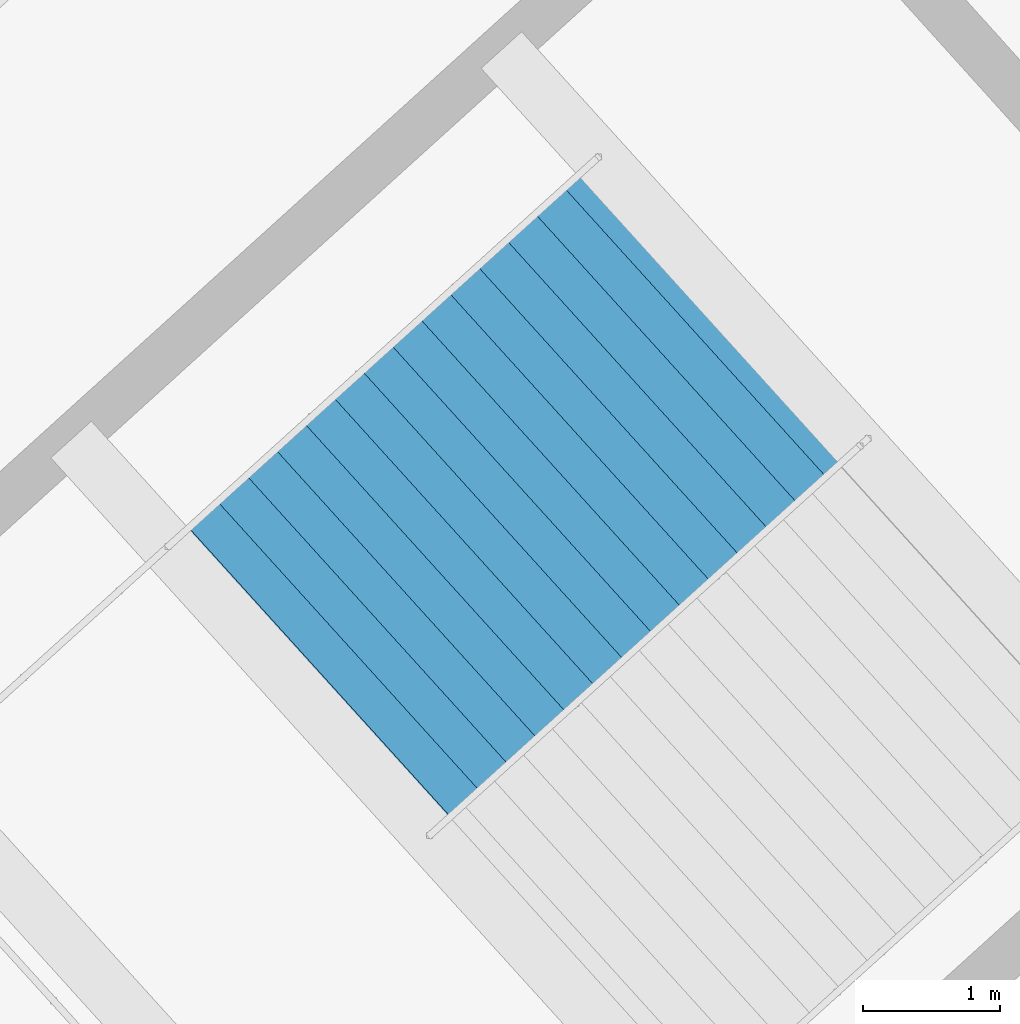
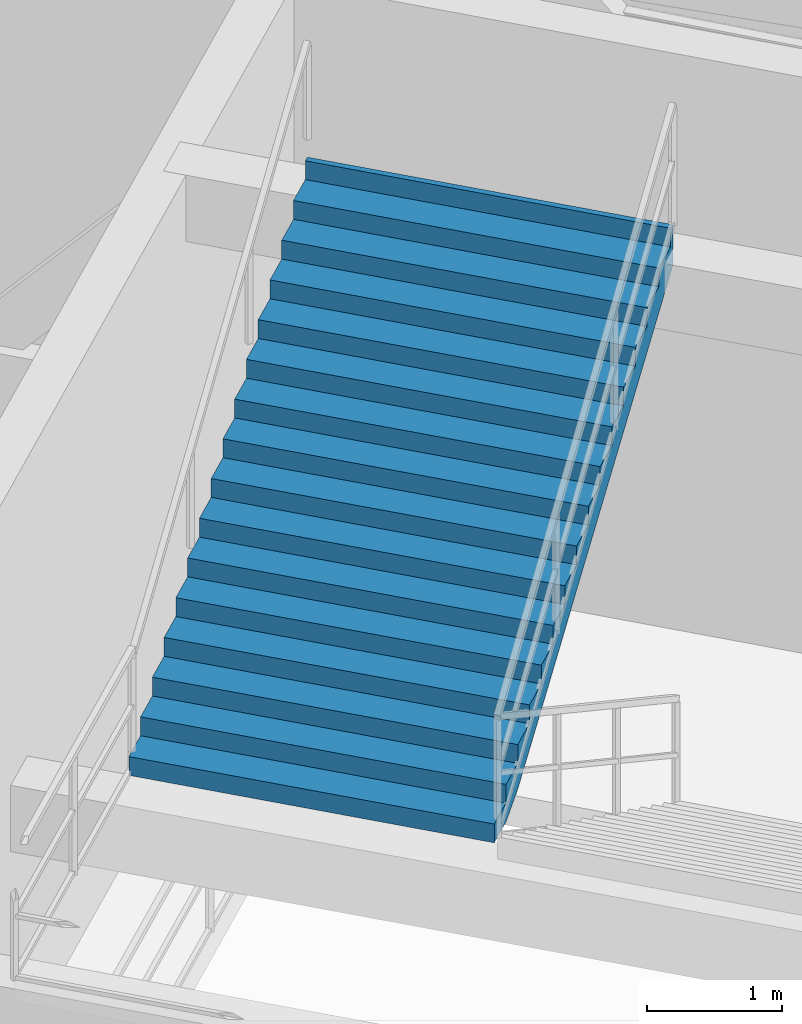
# One storey, part 156 of 162: 1 stair flight, 1 element without a shape of its own.
"""IFC4 building model written with IfcOpenShell, lengths in metres."""

from ifc_helpers import new_model, si_unit, direction, frame, origin, place, context, subcontext, project, spatial, polygons, material, type_object, element, aggregate, save


model = new_model("IFC4")

# Units and contexts
model_context = context("Model", 3, precision=1e-05, world=origin(), true_north=direction((0.0, 1.0)))
body_context = subcontext(model_context, "Body", "Model", "MODEL_VIEW")
ifc_project = project(units=[si_unit("LENGTHUNIT", "METRE"), si_unit("AREAUNIT", "SQUARE_METRE"), si_unit("VOLUMEUNIT", "CUBIC_METRE"), si_unit("PLANEANGLEUNIT", "RADIAN"), si_unit("MASSUNIT", "GRAM", prefix="KILO")], contexts=[model_context])

# Site, building, storey
site_placement = place(None, origin())
site = spatial("IfcSite", under=ifc_project, at=site_placement, CompositionType="ELEMENT")
building_placement = place(site_placement, origin())
building = spatial("IfcBuilding", under=site, at=building_placement, Name="Kazemori Nagisa Stadium", CompositionType="ELEMENT")
storey_placement = place(building_placement, frame((0.0, 0.0, 36.719970703125)))
storey = spatial("IfcBuildingStorey", under=building, at=storey_placement, Name="RF", CompositionType="ELEMENT", Elevation=36.719970703125)

# Stair, stair flight
ifc_material = material(Name="Concrete C36/45 (Fc36)", Category="concrete")
stair_type = type_object("IfcStairType", Name="Stair_CORE_32", PredefinedType="TWO_STRAIGHT_RUN_STAIR", material=ifc_material)
stair_placement = place(storey_placement, origin())
stair = element("IfcStair", 1, at=stair_placement, inside=storey, type_object=stair_type, Name="Exit stair ST02 RF", PredefinedType="TWO_STRAIGHT_RUN_STAIR")
stair_flight_type = type_object("IfcStairFlightType", Name="Flight_CORE_16", PredefinedType="STRAIGHT", material=ifc_material)
stair_flight_placement = place(storey_placement, frame((58.0458984375, 163.74609375, 2.719970703125), z_axis=(0.0, 0.0, 1.0), x_axis=(0.741328742395, 0.671142083093, 0.0)))
stair_flight = element("IfcStairFlight", 2, at=stair_flight_placement, type_object=stair_flight_type, Name="Exit stair ST02 RF flight 2", NumberOfRisers=16, NumberOfTreads=15, PredefinedType="STRAIGHT", RiserHeight=0.17, TreadLength=0.285, context=body_context, shape_type="Tessellation", body=[
    polygons([(0.0, -1.425048828125, 0.0), (0.0, -1.425048828125, 0.169921875), (0.284912109375, -1.425048828125, 0.169921875), (0.284912109375, -1.425048828125, 0.340087890625), (0.570068359375, -1.425048828125, 0.340087890625), (0.570068359375, -1.425048828125, 0.510009765625), (0.85498046875, -1.425048828125, 0.510009765625), (0.85498046875, -1.425048828125, 0.679931640625), (1.139892578125, -1.425048828125, 0.679931640625), (1.139892578125, -1.425048828125, 0.85009765625), (1.425048828125, -1.425048828125, 0.85009765625), (1.425048828125, -1.425048828125, 1.02001953125), (1.7099609375, -1.425048828125, 1.02001953125), (1.7099609375, -1.425048828125, 1.18994140625), (1.9951171875, -1.425048828125, 1.18994140625), (1.9951171875, -1.425048828125, 1.360107421875), (2.280029296875, -1.425048828125, 1.360107421875), (2.280029296875, -1.425048828125, 1.530029296875), (2.56494140625, -1.425048828125, 1.530029296875), (2.56494140625, -1.425048828125, 1.699951171875), (2.85009765625, -1.425048828125, 1.699951171875), (2.85009765625, -1.425048828125, 1.8701171875), (3.135009765625, -1.425048828125, 1.8701171875), (3.135009765625, -1.425048828125, 2.0400390625), (3.419921875, -1.425048828125, 2.0400390625), (3.419921875, -1.425048828125, 2.2099609375), (3.705078125, -1.425048828125, 2.2099609375), (3.705078125, -1.425048828125, 2.3798828125), (3.989990234375, -1.425048828125, 2.3798828125), (3.989990234375, -1.425048828125, 2.550048828125), (4.27490234375, -1.425048828125, 2.550048828125), (4.27490234375, -1.425048828125, 2.719970703125), (4.324951171875, -1.425048828125, 2.719970703125), (4.324951171875, -1.425048828125, 2.346923828125), (4.27490234375, -1.425048828125, 2.317138671875), (3.989990234375, -1.425048828125, 2.147216796875), (3.705078125, -1.425048828125, 1.977294921875), (3.419921875, -1.425048828125, 1.80712890625), (3.135009765625, -1.425048828125, 1.63720703125), (2.85009765625, -1.425048828125, 1.46728515625), (2.56494140625, -1.425048828125, 1.297119140625), (2.280029296875, -1.425048828125, 1.127197265625), (1.9951171875, -1.425048828125, 0.957275390625), (1.7099609375, -1.425048828125, 0.787109375), (1.425048828125, -1.425048828125, 0.6171875), (1.139892578125, -1.425048828125, 0.447265625), (0.85498046875, -1.425048828125, 0.277099609375), (0.570068359375, -1.425048828125, 0.107177734375), (0.284912109375, -1.425048828125, 0.0), (0.0, -0.08544921875, 0.0), (0.0, -0.08544921875, 0.169921875), (0.284912109375, -0.08544921875, 0.169921875), (0.284912109375, -0.08544921875, 0.340087890625), (0.570068359375, -0.08544921875, 0.340087890625), (0.570068359375, -0.08544921875, 0.510009765625), (0.85498046875, -0.08544921875, 0.510009765625), (0.85498046875, -0.08544921875, 0.679931640625), (1.139892578125, -0.08544921875, 0.679931640625), (1.139892578125, -0.08544921875, 0.85009765625), (1.425048828125, -0.08544921875, 0.85009765625), (1.425048828125, -0.08544921875, 1.02001953125), (1.7099609375, -0.08544921875, 1.02001953125), (1.7099609375, -0.08544921875, 1.18994140625), (1.9951171875, -0.08544921875, 1.18994140625), (1.9951171875, -0.08544921875, 1.360107421875), (2.280029296875, -0.08544921875, 1.360107421875), (2.280029296875, -0.08544921875, 1.530029296875), (2.56494140625, -0.08544921875, 1.530029296875), (2.56494140625, -0.08544921875, 1.699951171875), (2.85009765625, -0.08544921875, 1.699951171875), (2.85009765625, -0.08544921875, 1.8701171875), (3.135009765625, -0.08544921875, 1.8701171875), (3.135009765625, -0.08544921875, 2.0400390625), (3.419921875, -0.08544921875, 2.0400390625), (3.419921875, -0.08544921875, 2.2099609375), (3.705078125, -0.08544921875, 2.2099609375), (3.705078125, -0.08544921875, 2.3798828125), (3.989990234375, -0.08544921875, 2.3798828125), (3.989990234375, -0.08544921875, 2.550048828125), (4.27490234375, -0.08544921875, 2.550048828125), (4.27490234375, -0.08544921875, 2.719970703125), (4.324951171875, -0.08544921875, 2.719970703125), (4.324951171875, -0.08544921875, 2.346923828125), (4.27490234375, -0.08544921875, 2.317138671875), (3.989990234375, -0.08544921875, 2.147216796875), (3.705078125, -0.08544921875, 1.977294921875), (3.419921875, -0.08544921875, 1.80712890625), (3.135009765625, -0.08544921875, 1.63720703125), (2.85009765625, -0.08544921875, 1.46728515625), (2.56494140625, -0.08544921875, 1.297119140625), (2.280029296875, -0.08544921875, 1.127197265625), (1.9951171875, -0.08544921875, 0.957275390625), (1.7099609375, -0.08544921875, 0.787109375), (1.425048828125, -0.08544921875, 0.6171875), (1.139892578125, -0.08544921875, 0.447265625), (0.85498046875, -0.08544921875, 0.277099609375), (0.570068359375, -0.08544921875, 0.107177734375), (0.284912109375, -0.08544921875, 0.0), (0.0, 0.0, 0.0), (0.0, 0.0, 0.169921875), (0.284912109375, 0.0, 0.169921875), (0.284912109375, 0.0, 0.340087890625), (0.570068359375, 0.0, 0.340087890625), (0.570068359375, 0.0, 0.510009765625), (0.85498046875, 0.0, 0.510009765625), (0.85498046875, 0.0, 0.679931640625), (1.139892578125, 0.0, 0.679931640625), (1.139892578125, 0.0, 0.85009765625), (1.425048828125, 0.0, 0.85009765625), (1.425048828125, 0.0, 1.02001953125), (1.7099609375, 0.0, 1.02001953125), (1.7099609375, 0.0, 1.18994140625), (1.9951171875, 0.0, 1.18994140625), (1.9951171875, 0.0, 1.360107421875), (2.280029296875, 0.0, 1.360107421875), (2.280029296875, 0.0, 1.530029296875), (2.56494140625, 0.0, 1.530029296875), (2.56494140625, 0.0, 1.699951171875), (2.85009765625, 0.0, 1.699951171875), (2.85009765625, 0.0, 1.8701171875), (3.135009765625, 0.0, 1.8701171875), (3.135009765625, 0.0, 2.0400390625), (3.419921875, 0.0, 2.0400390625), (3.419921875, 0.0, 2.2099609375), (3.705078125, 0.0, 2.2099609375), (3.705078125, 0.0, 2.3798828125), (3.989990234375, 0.0, 2.3798828125), (3.989990234375, 0.0, 2.550048828125), (4.27490234375, 0.0, 2.550048828125), (4.27490234375, 0.0, 2.719970703125), (4.324951171875, 0.0, 2.719970703125), (4.324951171875, 0.0, 2.346923828125), (4.27490234375, 0.0, 2.317138671875), (3.989990234375, 0.0, 2.147216796875), (3.705078125, 0.0, 1.977294921875), (3.419921875, 0.0, 1.80712890625), (3.135009765625, 0.0, 1.63720703125), (2.85009765625, 0.0, 1.46728515625), (2.56494140625, 0.0, 1.297119140625), (2.280029296875, 0.0, 1.127197265625), (1.9951171875, 0.0, 0.957275390625), (1.7099609375, 0.0, 0.787109375), (1.425048828125, 0.0, 0.6171875), (1.139892578125, 0.0, 0.447265625), (0.85498046875, 0.0, 0.277099609375), (0.570068359375, 0.0, 0.107177734375), (0.284912109375, 0.0, 0.0), (0.0, 0.08544921875, 0.0), (0.0, 0.08544921875, 0.169921875), (0.284912109375, 0.08544921875, 0.169921875), (0.284912109375, 0.08544921875, 0.340087890625), (0.570068359375, 0.08544921875, 0.340087890625), (0.570068359375, 0.08544921875, 0.510009765625), (0.85498046875, 0.08544921875, 0.510009765625), (0.85498046875, 0.08544921875, 0.679931640625), (1.139892578125, 0.08544921875, 0.679931640625), (1.139892578125, 0.08544921875, 0.85009765625), (1.425048828125, 0.08544921875, 0.85009765625), (1.425048828125, 0.08544921875, 1.02001953125), (1.7099609375, 0.08544921875, 1.02001953125), (1.7099609375, 0.08544921875, 1.18994140625), (1.9951171875, 0.08544921875, 1.18994140625), (1.9951171875, 0.08544921875, 1.360107421875), (2.280029296875, 0.08544921875, 1.360107421875), (2.280029296875, 0.08544921875, 1.530029296875), (2.56494140625, 0.08544921875, 1.530029296875), (2.56494140625, 0.08544921875, 1.699951171875), (2.85009765625, 0.08544921875, 1.699951171875), (2.85009765625, 0.08544921875, 1.8701171875), (3.135009765625, 0.08544921875, 1.8701171875), (3.135009765625, 0.08544921875, 2.0400390625), (3.419921875, 0.08544921875, 2.0400390625), (3.419921875, 0.08544921875, 2.2099609375), (3.705078125, 0.08544921875, 2.2099609375), (3.705078125, 0.08544921875, 2.3798828125), (3.989990234375, 0.08544921875, 2.3798828125), (3.989990234375, 0.08544921875, 2.550048828125), (4.27490234375, 0.08544921875, 2.550048828125), (4.27490234375, 0.08544921875, 2.719970703125), (4.324951171875, 0.08544921875, 2.719970703125), (4.324951171875, 0.08544921875, 2.346923828125), (4.27490234375, 0.08544921875, 2.317138671875), (3.989990234375, 0.08544921875, 2.147216796875), (3.705078125, 0.08544921875, 1.977294921875), (3.419921875, 0.08544921875, 1.80712890625), (3.135009765625, 0.08544921875, 1.63720703125), (2.85009765625, 0.08544921875, 1.46728515625), (2.56494140625, 0.08544921875, 1.297119140625), (2.280029296875, 0.08544921875, 1.127197265625), (1.9951171875, 0.08544921875, 0.957275390625), (1.7099609375, 0.08544921875, 0.787109375), (1.425048828125, 0.08544921875, 0.6171875), (1.139892578125, 0.08544921875, 0.447265625), (0.85498046875, 0.08544921875, 0.277099609375), (0.570068359375, 0.08544921875, 0.107177734375), (0.284912109375, 0.08544921875, 0.0), (0.0, 1.425048828125, 0.0), (0.0, 1.425048828125, 0.169921875), (0.284912109375, 1.425048828125, 0.169921875), (0.284912109375, 1.425048828125, 0.340087890625), (0.570068359375, 1.425048828125, 0.340087890625), (0.570068359375, 1.425048828125, 0.510009765625), (0.85498046875, 1.425048828125, 0.510009765625), (0.85498046875, 1.425048828125, 0.679931640625), (1.139892578125, 1.425048828125, 0.679931640625), (1.139892578125, 1.425048828125, 0.85009765625), (1.425048828125, 1.425048828125, 0.85009765625), (1.425048828125, 1.425048828125, 1.02001953125), (1.7099609375, 1.425048828125, 1.02001953125), (1.7099609375, 1.425048828125, 1.18994140625), (1.9951171875, 1.425048828125, 1.18994140625), (1.9951171875, 1.425048828125, 1.360107421875), (2.280029296875, 1.425048828125, 1.360107421875), (2.280029296875, 1.425048828125, 1.530029296875), (2.56494140625, 1.425048828125, 1.530029296875), (2.56494140625, 1.425048828125, 1.699951171875), (2.85009765625, 1.425048828125, 1.699951171875), (2.85009765625, 1.425048828125, 1.8701171875), (3.135009765625, 1.425048828125, 1.8701171875), (3.135009765625, 1.425048828125, 2.0400390625), (3.419921875, 1.425048828125, 2.0400390625), (3.419921875, 1.425048828125, 2.2099609375), (3.705078125, 1.425048828125, 2.2099609375), (3.705078125, 1.425048828125, 2.3798828125), (3.989990234375, 1.425048828125, 2.3798828125), (3.989990234375, 1.425048828125, 2.550048828125), (4.27490234375, 1.425048828125, 2.550048828125), (4.27490234375, 1.425048828125, 2.719970703125), (4.324951171875, 1.425048828125, 2.719970703125), (4.324951171875, 1.425048828125, 2.346923828125), (4.27490234375, 1.425048828125, 2.317138671875), (3.989990234375, 1.425048828125, 2.147216796875), (3.705078125, 1.425048828125, 1.977294921875), (3.419921875, 1.425048828125, 1.80712890625), (3.135009765625, 1.425048828125, 1.63720703125), (2.85009765625, 1.425048828125, 1.46728515625), (2.56494140625, 1.425048828125, 1.297119140625), (2.280029296875, 1.425048828125, 1.127197265625), (1.9951171875, 1.425048828125, 0.957275390625), (1.7099609375, 1.425048828125, 0.787109375), (1.425048828125, 1.425048828125, 0.6171875), (1.139892578125, 1.425048828125, 0.447265625), (0.85498046875, 1.425048828125, 0.277099609375), (0.570068359375, 1.425048828125, 0.107177734375), (0.284912109375, 1.425048828125, 0.0)], [[[1, 2, 51]], [[1, 51, 50]], [[2, 3, 52]], [[2, 52, 51]], [[3, 4, 53]], [[3, 53, 52]], [[4, 5, 54]], [[4, 54, 53]], [[5, 6, 55]], [[5, 55, 54]], [[6, 7, 56]], [[6, 56, 55]], [[7, 8, 57]], [[7, 57, 56]], [[8, 9, 58]], [[8, 58, 57]], [[9, 10, 59]], [[9, 59, 58]], [[10, 11, 60]], [[10, 60, 59]], [[11, 12, 61]], [[11, 61, 60]], [[12, 13, 62]], [[12, 62, 61]], [[13, 14, 63]], [[13, 63, 62]], [[14, 15, 64]], [[14, 64, 63]], [[15, 16, 65]], [[15, 65, 64]], [[16, 17, 66]], [[16, 66, 65]], [[17, 18, 67]], [[17, 67, 66]], [[18, 19, 68]], [[18, 68, 67]], [[19, 20, 69]], [[19, 69, 68]], [[20, 21, 70]], [[20, 70, 69]], [[21, 22, 71]], [[21, 71, 70]], [[22, 23, 72]], [[22, 72, 71]], [[23, 24, 73]], [[23, 73, 72]], [[24, 25, 74]], [[24, 74, 73]], [[25, 26, 75]], [[25, 75, 74]], [[26, 27, 76]], [[26, 76, 75]], [[27, 28, 77]], [[27, 77, 76]], [[28, 29, 78]], [[28, 78, 77]], [[29, 30, 79]], [[29, 79, 78]], [[30, 31, 80]], [[30, 80, 79]], [[31, 32, 81]], [[31, 81, 80]], [[32, 33, 82]], [[32, 82, 81]], [[33, 34, 83]], [[33, 83, 82]], [[34, 35, 84]], [[34, 84, 83]], [[35, 36, 85]], [[35, 85, 84]], [[36, 37, 86]], [[36, 86, 85]], [[37, 38, 87]], [[37, 87, 86]], [[38, 39, 88]], [[38, 88, 87]], [[39, 40, 89]], [[39, 89, 88]], [[40, 41, 90]], [[40, 90, 89]], [[41, 42, 91]], [[41, 91, 90]], [[42, 43, 92]], [[42, 92, 91]], [[43, 44, 93]], [[43, 93, 92]], [[44, 45, 94]], [[44, 94, 93]], [[45, 46, 95]], [[45, 95, 94]], [[46, 47, 96]], [[46, 96, 95]], [[47, 48, 97]], [[47, 97, 96]], [[48, 49, 98]], [[48, 98, 97]], [[49, 1, 50]], [[49, 50, 98]], [[50, 51, 100]], [[50, 100, 99]], [[51, 52, 101]], [[51, 101, 100]], [[52, 53, 102]], [[52, 102, 101]], [[53, 54, 103]], [[53, 103, 102]], [[54, 55, 104]], [[54, 104, 103]], [[55, 56, 105]], [[55, 105, 104]], [[56, 57, 106]], [[56, 106, 105]], [[57, 58, 107]], [[57, 107, 106]], [[58, 59, 108]], [[58, 108, 107]], [[59, 60, 109]], [[59, 109, 108]], [[60, 61, 110]], [[60, 110, 109]], [[61, 62, 111]], [[61, 111, 110]], [[62, 63, 112]], [[62, 112, 111]], [[63, 64, 113]], [[63, 113, 112]], [[64, 65, 114]], [[64, 114, 113]], [[65, 66, 115]], [[65, 115, 114]], [[66, 67, 116]], [[66, 116, 115]], [[67, 68, 117]], [[67, 117, 116]], [[68, 69, 118]], [[68, 118, 117]], [[69, 70, 119]], [[69, 119, 118]], [[70, 71, 120]], [[70, 120, 119]], [[71, 72, 121]], [[71, 121, 120]], [[72, 73, 122]], [[72, 122, 121]], [[73, 74, 123]], [[73, 123, 122]], [[74, 75, 124]], [[74, 124, 123]], [[75, 76, 125]], [[75, 125, 124]], [[76, 77, 126]], [[76, 126, 125]], [[77, 78, 127]], [[77, 127, 126]], [[78, 79, 128]], [[78, 128, 127]], [[79, 80, 129]], [[79, 129, 128]], [[80, 81, 130]], [[80, 130, 129]], [[81, 82, 131]], [[81, 131, 130]], [[82, 83, 132]], [[82, 132, 131]], [[83, 84, 133]], [[83, 133, 132]], [[84, 85, 134]], [[84, 134, 133]], [[85, 86, 135]], [[85, 135, 134]], [[86, 87, 136]], [[86, 136, 135]], [[87, 88, 137]], [[87, 137, 136]], [[88, 89, 138]], [[88, 138, 137]], [[89, 90, 139]], [[89, 139, 138]], [[90, 91, 140]], [[90, 140, 139]], [[91, 92, 141]], [[91, 141, 140]], [[92, 93, 142]], [[92, 142, 141]], [[93, 94, 143]], [[93, 143, 142]], [[94, 95, 144]], [[94, 144, 143]], [[95, 96, 145]], [[95, 145, 144]], [[96, 97, 146]], [[96, 146, 145]], [[97, 98, 147]], [[97, 147, 146]], [[98, 50, 99]], [[98, 99, 147]], [[99, 100, 149]], [[99, 149, 148]], [[100, 101, 150]], [[100, 150, 149]], [[101, 102, 151]], [[101, 151, 150]], [[102, 103, 152]], [[102, 152, 151]], [[103, 104, 153]], [[103, 153, 152]], [[104, 105, 154]], [[104, 154, 153]], [[105, 106, 155]], [[105, 155, 154]], [[106, 107, 156]], [[106, 156, 155]], [[107, 108, 157]], [[107, 157, 156]], [[108, 109, 158]], [[108, 158, 157]], [[109, 110, 159]], [[109, 159, 158]], [[110, 111, 160]], [[110, 160, 159]], [[111, 112, 161]], [[111, 161, 160]], [[112, 113, 162]], [[112, 162, 161]], [[113, 114, 163]], [[113, 163, 162]], [[114, 115, 164]], [[114, 164, 163]], [[115, 116, 165]], [[115, 165, 164]], [[116, 117, 166]], [[116, 166, 165]], [[117, 118, 167]], [[117, 167, 166]], [[118, 119, 168]], [[118, 168, 167]], [[119, 120, 169]], [[119, 169, 168]], [[120, 121, 170]], [[120, 170, 169]], [[121, 122, 171]], [[121, 171, 170]], [[122, 123, 172]], [[122, 172, 171]], [[123, 124, 173]], [[123, 173, 172]], [[124, 125, 174]], [[124, 174, 173]], [[125, 126, 175]], [[125, 175, 174]], [[126, 127, 176]], [[126, 176, 175]], [[127, 128, 177]], [[127, 177, 176]], [[128, 129, 178]], [[128, 178, 177]], [[129, 130, 179]], [[129, 179, 178]], [[130, 131, 180]], [[130, 180, 179]], [[131, 132, 181]], [[131, 181, 180]], [[132, 133, 182]], [[132, 182, 181]], [[133, 134, 183]], [[133, 183, 182]], [[134, 135, 184]], [[134, 184, 183]], [[135, 136, 185]], [[135, 185, 184]], [[136, 137, 186]], [[136, 186, 185]], [[137, 138, 187]], [[137, 187, 186]], [[138, 139, 188]], [[138, 188, 187]], [[139, 140, 189]], [[139, 189, 188]], [[140, 141, 190]], [[140, 190, 189]], [[141, 142, 191]], [[141, 191, 190]], [[142, 143, 192]], [[142, 192, 191]], [[143, 144, 193]], [[143, 193, 192]], [[144, 145, 194]], [[144, 194, 193]], [[145, 146, 195]], [[145, 195, 194]], [[146, 147, 196]], [[146, 196, 195]], [[147, 99, 148]], [[147, 148, 196]], [[148, 149, 198]], [[148, 198, 197]], [[149, 150, 199]], [[149, 199, 198]], [[150, 151, 200]], [[150, 200, 199]], [[151, 152, 201]], [[151, 201, 200]], [[152, 153, 202]], [[152, 202, 201]], [[153, 154, 203]], [[153, 203, 202]], [[154, 155, 204]], [[154, 204, 203]], [[155, 156, 205]], [[155, 205, 204]], [[156, 157, 206]], [[156, 206, 205]], [[157, 158, 207]], [[157, 207, 206]], [[158, 159, 208]], [[158, 208, 207]], [[159, 160, 209]], [[159, 209, 208]], [[160, 161, 210]], [[160, 210, 209]], [[161, 162, 211]], [[161, 211, 210]], [[162, 163, 212]], [[162, 212, 211]], [[163, 164, 213]], [[163, 213, 212]], [[164, 165, 214]], [[164, 214, 213]], [[165, 166, 215]], [[165, 215, 214]], [[166, 167, 216]], [[166, 216, 215]], [[167, 168, 217]], [[167, 217, 216]], [[168, 169, 218]], [[168, 218, 217]], [[169, 170, 219]], [[169, 219, 218]], [[170, 171, 220]], [[170, 220, 219]], [[171, 172, 221]], [[171, 221, 220]], [[172, 173, 222]], [[172, 222, 221]], [[173, 174, 223]], [[173, 223, 222]], [[174, 175, 224]], [[174, 224, 223]], [[175, 176, 225]], [[175, 225, 224]], [[176, 177, 226]], [[176, 226, 225]], [[177, 178, 227]], [[177, 227, 226]], [[178, 179, 228]], [[178, 228, 227]], [[179, 180, 229]], [[179, 229, 228]], [[180, 181, 230]], [[180, 230, 229]], [[181, 182, 231]], [[181, 231, 230]], [[182, 183, 232]], [[182, 232, 231]], [[183, 184, 233]], [[183, 233, 232]], [[184, 185, 234]], [[184, 234, 233]], [[185, 186, 235]], [[185, 235, 234]], [[186, 187, 236]], [[186, 236, 235]], [[187, 188, 237]], [[187, 237, 236]], [[188, 189, 238]], [[188, 238, 237]], [[189, 190, 239]], [[189, 239, 238]], [[190, 191, 240]], [[190, 240, 239]], [[191, 192, 241]], [[191, 241, 240]], [[192, 193, 242]], [[192, 242, 241]], [[193, 194, 243]], [[193, 243, 242]], [[194, 195, 244]], [[194, 244, 243]], [[195, 196, 245]], [[195, 245, 244]], [[196, 148, 197]], [[196, 197, 245]], [[3, 2, 1]], [[197, 198, 199]], [[49, 3, 1]], [[197, 199, 245]], [[48, 3, 49]], [[245, 199, 244]], [[5, 3, 48]], [[244, 199, 201]], [[5, 4, 3]], [[199, 200, 201]], [[47, 5, 48]], [[244, 201, 243]], [[7, 5, 47]], [[243, 201, 203]], [[7, 6, 5]], [[201, 202, 203]], [[46, 7, 47]], [[243, 203, 242]], [[9, 7, 46]], [[242, 203, 205]], [[9, 8, 7]], [[203, 204, 205]], [[45, 9, 46]], [[242, 205, 241]], [[11, 9, 45]], [[241, 205, 207]], [[11, 10, 9]], [[205, 206, 207]], [[44, 11, 45]], [[241, 207, 240]], [[13, 11, 44]], [[240, 207, 209]], [[13, 12, 11]], [[207, 208, 209]], [[43, 13, 44]], [[240, 209, 239]], [[15, 13, 43]], [[239, 209, 211]], [[15, 14, 13]], [[209, 210, 211]], [[42, 15, 43]], [[239, 211, 238]], [[17, 15, 42]], [[238, 211, 213]], [[17, 16, 15]], [[211, 212, 213]], [[41, 17, 42]], [[238, 213, 237]], [[19, 17, 41]], [[237, 213, 215]], [[19, 18, 17]], [[213, 214, 215]], [[40, 19, 41]], [[237, 215, 236]], [[21, 19, 40]], [[236, 215, 217]], [[21, 20, 19]], [[215, 216, 217]], [[39, 21, 40]], [[236, 217, 235]], [[23, 21, 39]], [[235, 217, 219]], [[23, 22, 21]], [[217, 218, 219]], [[38, 23, 39]], [[235, 219, 234]], [[25, 23, 38]], [[234, 219, 221]], [[25, 24, 23]], [[219, 220, 221]], [[37, 25, 38]], [[234, 221, 233]], [[27, 25, 37]], [[233, 221, 223]], [[27, 26, 25]], [[221, 222, 223]], [[36, 27, 37]], [[233, 223, 232]], [[29, 27, 36]], [[232, 223, 225]], [[29, 28, 27]], [[223, 224, 225]], [[35, 29, 36]], [[232, 225, 231]], [[31, 29, 35]], [[231, 225, 227]], [[31, 30, 29]], [[225, 226, 227]], [[34, 31, 35]], [[231, 227, 230]], [[33, 31, 34]], [[230, 227, 229]], [[33, 32, 31]], [[227, 228, 229]]], closed=True),
])
aggregate(stair, [stair_flight])

save(model, "model.ifc")
